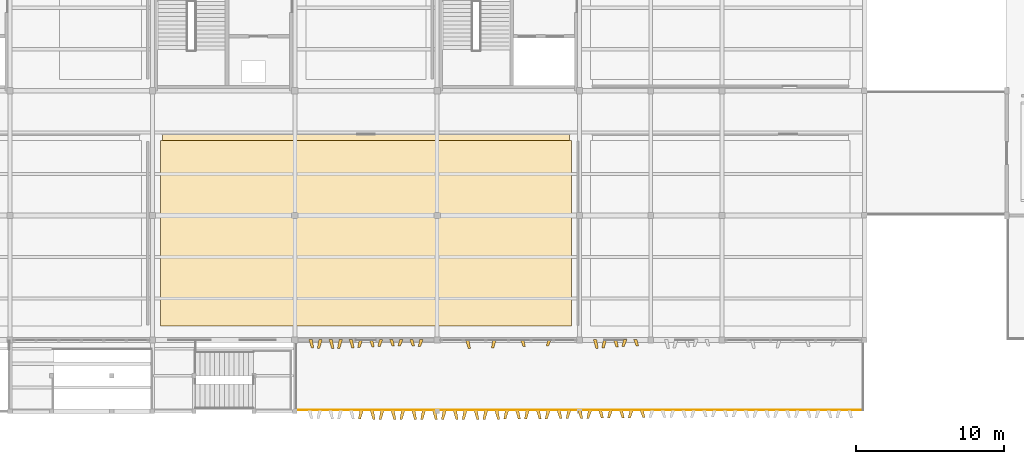
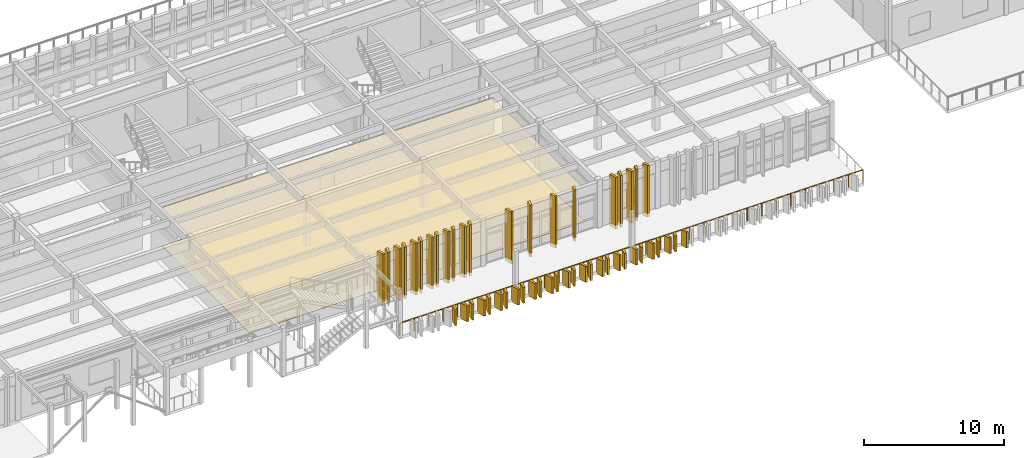
# One storey, part 55 of 61: 51 coverings, 1 railing.
"""IFC4 building model written with IfcOpenShell, lengths in metres."""

from ifc_helpers import new_model, si_unit, direction, frame, origin, origin_2d, place, context, subcontext, project, spatial, polyline, circle, outline, extrude, material, layer, layer_set, type_object, element, save


model = new_model("IFC4")

# Units and contexts
model_context = context("Model", 3, precision=1e-05, world=origin(), true_north=direction((0.0, 1.0)))
body_context = subcontext(model_context, "Body", "Model", "MODEL_VIEW")
ifc_project = project(units=[si_unit("LENGTHUNIT", "METRE"), si_unit("AREAUNIT", "SQUARE_METRE"), si_unit("VOLUMEUNIT", "CUBIC_METRE"), si_unit("PLANEANGLEUNIT", "RADIAN"), si_unit("MASSUNIT", "GRAM", prefix="KILO")], contexts=[model_context])

# Site, building, storey
site_placement = place(None, origin())
site = spatial("IfcSite", under=ifc_project, at=site_placement, CompositionType="ELEMENT")
building_placement = place(site_placement, origin())
building = spatial("IfcBuilding", under=site, at=building_placement, Name="Kolvemor Railside Polytechnic", CompositionType="ELEMENT")
storey_placement = place(building_placement, frame((0.0, 0.0, 10.199951171875)))
storey = spatial("IfcBuildingStorey", under=building, at=storey_placement, Name="L02", CompositionType="ELEMENT", Elevation=10.199951171875)

# Coverings
ifc_material_1 = material(Name="Perforated acoustic mineral-fibre and timber-slat ceiling", Category="wood")
ifc_layer_1 = layer(ifc_material_1, 0.030029296875, Name="COV-CEIL-2")
ifc_layer_set_1 = layer_set([ifc_layer_1], Name="Perforated acoustic mineral-fibre and timber-slat ceiling")
covering_type_1 = type_object("IfcCoveringType", Name="COV-CEIL-2", PredefinedType="CEILING", material=ifc_layer_set_1)
covering_1_placement = place(storey_placement, frame((0.0, 0.0, 3.0)))
element("IfcCovering", 1, at=covering_1_placement, inside=storey, type_object=covering_type_1, Name="Tropical Architecture Design Studio Acoustic Ceiling", PredefinedType="CEILING", context=body_context, shape_type="SweptSolid", body=[
    extrude(outline(polyline([(87.080078125, 5.75), (114.52001953125, 5.75), (114.52001953125, 18.679931640625), (87.080078125, 18.679931640625), (87.080078125, 5.75)])), origin(), (0.0, 0.0, 1.0), 0.030029296875),
])
ifc_material_2 = material(Name="Champagne-bronze PVDF-anodised marine aluminium 5052-H32", Category="aluminium")
ifc_layer_2 = layer(ifc_material_2, 0.179931640625, Name="COV-FIN-CHAMP")
ifc_layer_set_2 = layer_set([ifc_layer_2], Name="Champagne-bronze PVDF-anodised marine aluminium 5052-H32")
covering_type_2 = type_object("IfcCoveringType", Name="COV-FIN-CHAMP", PredefinedType="CLADDING", material=ifc_layer_set_2)
covering_2_placement = place(storey_placement, frame((0.0, 0.0, -0.320068359375)))
element("IfcCovering", 2, at=covering_2_placement, inside=storey, type_object=covering_type_2, Name="Pleated Solar Fin L02-0342", PredefinedType="CLADDING", context=body_context, shape_type="SweptSolid", body=[
    extrude(outline(polyline([(96.945068359375, 4.8349609375), (97.175048828125, 4.8349609375), (97.280029296875, 4.263916015625), (97.1201171875, 4.263916015625), (96.945068359375, 4.8349609375)])), origin(), (0.0, 0.0, 1.0), 4.52001953125),
])
covering_3_placement = place(storey_placement, frame((0.0, 0.0, -0.320068359375)))
element("IfcCovering", 3, at=covering_3_placement, inside=storey, type_object=covering_type_2, Name="Pleated Solar Fin L02-0343", PredefinedType="CLADDING", context=body_context, shape_type="SweptSolid", body=[
    extrude(outline(polyline([(97.625, 4.8349609375), (97.85498046875, 4.8349609375), (97.679931640625, 4.241943359375), (97.52001953125, 4.241943359375), (97.625, 4.8349609375)])), origin(), (0.0, 0.0, 1.0), 4.52001953125),
])
covering_4_placement = place(storey_placement, frame((0.0, 0.0, -0.320068359375)))
element("IfcCovering", 4, at=covering_4_placement, inside=storey, type_object=covering_type_2, Name="Pleated Solar Fin L02-0344", PredefinedType="CLADDING", context=body_context, shape_type="SweptSolid", body=[
    extrude(outline(polyline([(98.304931640625, 4.8349609375), (98.534912109375, 4.8349609375), (98.639892578125, 4.235107421875), (98.47998046875, 4.235107421875), (98.304931640625, 4.8349609375)])), origin(), (0.0, 0.0, 1.0), 4.52001953125),
])
covering_5_placement = place(storey_placement, frame((0.0, 0.0, -0.320068359375)))
element("IfcCovering", 5, at=covering_5_placement, inside=storey, type_object=covering_type_2, Name="Pleated Solar Fin L02-0345", PredefinedType="CLADDING", context=body_context, shape_type="SweptSolid", body=[
    extrude(outline(polyline([(98.985107421875, 4.8349609375), (99.215087890625, 4.8349609375), (99.0400390625, 4.242919921875), (98.8798828125, 4.242919921875), (98.985107421875, 4.8349609375)])), origin(), (0.0, 0.0, 1.0), 4.52001953125),
])
covering_6_placement = place(storey_placement, frame((0.0, 0.0, -0.320068359375)))
element("IfcCovering", 6, at=covering_6_placement, inside=storey, type_object=covering_type_2, Name="Pleated Solar Fin L02-0346", PredefinedType="CLADDING", context=body_context, shape_type="SweptSolid", body=[
    extrude(outline(polyline([(99.6650390625, 4.8349609375), (99.89501953125, 4.8349609375), (100.0, 4.264892578125), (99.840087890625, 4.264892578125), (99.6650390625, 4.8349609375)])), origin(), (0.0, 0.0, 1.0), 4.52001953125),
])
covering_7_placement = place(storey_placement, frame((0.0, 0.0, -0.320068359375)))
element("IfcCovering", 7, at=covering_7_placement, inside=storey, type_object=covering_type_2, Name="Pleated Solar Fin L02-0347", PredefinedType="CLADDING", context=body_context, shape_type="SweptSolid", body=[
    extrude(outline(polyline([(100.344970703125, 4.8349609375), (100.574951171875, 4.8349609375), (100.39990234375, 4.297119140625), (100.239990234375, 4.297119140625), (100.344970703125, 4.8349609375)])), origin(), (0.0, 0.0, 1.0), 4.52001953125),
])
covering_8_placement = place(storey_placement, frame((0.0, 0.0, -0.320068359375)))
element("IfcCovering", 8, at=covering_8_placement, inside=storey, type_object=covering_type_2, Name="Pleated Solar Fin L02-0348", PredefinedType="CLADDING", context=body_context, shape_type="SweptSolid", body=[
    extrude(outline(polyline([(101.02490234375, 4.8349609375), (101.2548828125, 4.8349609375), (101.360107421875, 4.3330078125), (101.199951171875, 4.3330078125), (101.02490234375, 4.8349609375)])), origin(), (0.0, 0.0, 1.0), 4.52001953125),
])
covering_9_placement = place(storey_placement, frame((0.0, 0.0, -0.320068359375)))
element("IfcCovering", 9, at=covering_9_placement, inside=storey, type_object=covering_type_2, Name="Pleated Solar Fin L02-0349", PredefinedType="CLADDING", context=body_context, shape_type="SweptSolid", body=[
    extrude(outline(polyline([(101.705078125, 4.8349609375), (101.93505859375, 4.8349609375), (101.760009765625, 4.364990234375), (101.60009765625, 4.364990234375), (101.705078125, 4.8349609375)])), origin(), (0.0, 0.0, 1.0), 4.52001953125),
])
covering_10_placement = place(storey_placement, frame((0.0, 0.0, -0.320068359375)))
element("IfcCovering", 10, at=covering_10_placement, inside=storey, type_object=covering_type_2, Name="Pleated Solar Fin L02-0350", PredefinedType="CLADDING", context=body_context, shape_type="SweptSolid", body=[
    extrude(outline(polyline([(102.385009765625, 4.8349609375), (102.614990234375, 4.8349609375), (102.719970703125, 4.386962890625), (102.56005859375, 4.386962890625), (102.385009765625, 4.8349609375)])), origin(), (0.0, 0.0, 1.0), 4.52001953125),
])
covering_11_placement = place(storey_placement, frame((0.0, 0.0, -0.320068359375)))
element("IfcCovering", 11, at=covering_11_placement, inside=storey, type_object=covering_type_2, Name="Pleated Solar Fin L02-0351", PredefinedType="CLADDING", context=body_context, shape_type="SweptSolid", body=[
    extrude(outline(polyline([(103.06494140625, 4.8349609375), (103.294921875, 4.8349609375), (103.1201171875, 4.39501953125), (102.9599609375, 4.39501953125), (103.06494140625, 4.8349609375)])), origin(), (0.0, 0.0, 1.0), 4.52001953125),
])
covering_12_placement = place(storey_placement, frame((0.0, 0.0, -0.320068359375)))
element("IfcCovering", 12, at=covering_12_placement, inside=storey, type_object=covering_type_2, Name="Pleated Solar Fin L02-0352", PredefinedType="CLADDING", context=body_context, shape_type="SweptSolid", body=[
    extrude(outline(polyline([(103.7451171875, 4.8349609375), (103.97509765625, 4.8349609375), (104.080078125, 4.387939453125), (103.919921875, 4.387939453125), (103.7451171875, 4.8349609375)])), origin(), (0.0, 0.0, 1.0), 4.52001953125),
])
covering_13_placement = place(storey_placement, frame((0.0, 0.0, -0.320068359375)))
element("IfcCovering", 13, at=covering_13_placement, inside=storey, type_object=covering_type_2, Name="Pleated Solar Fin L02-0353", PredefinedType="CLADDING", context=body_context, shape_type="SweptSolid", body=[
    extrude(outline(polyline([(104.425048828125, 4.8349609375), (104.655029296875, 4.8349609375), (104.47998046875, 4.365966796875), (104.320068359375, 4.365966796875), (104.425048828125, 4.8349609375)])), origin(), (0.0, 0.0, 1.0), 4.52001953125),
])
covering_14_placement = place(storey_placement, frame((0.0, 0.0, -0.320068359375)))
element("IfcCovering", 14, at=covering_14_placement, inside=storey, type_object=covering_type_2, Name="Pleated Solar Fin L02-0358", PredefinedType="CLADDING", context=body_context, shape_type="SweptSolid", body=[
    extrude(outline(polyline([(116.125, 4.8349609375), (116.35498046875, 4.8349609375), (116.4599609375, 4.237060546875), (116.300048828125, 4.237060546875), (116.125, 4.8349609375)])), origin(), (0.0, 0.0, 1.0), 4.52001953125),
])
covering_15_placement = place(storey_placement, frame((0.0, 0.0, -0.320068359375)))
element("IfcCovering", 15, at=covering_15_placement, inside=storey, type_object=covering_type_2, Name="Pleated Solar Fin L02-0359", PredefinedType="CLADDING", context=body_context, shape_type="SweptSolid", body=[
    extrude(outline(polyline([(116.804931640625, 4.8349609375), (117.034912109375, 4.8349609375), (116.860107421875, 4.2529296875), (116.699951171875, 4.2529296875), (116.804931640625, 4.8349609375)])), origin(), (0.0, 0.0, 1.0), 4.52001953125),
])
covering_16_placement = place(storey_placement, frame((0.0, 0.0, -0.320068359375)))
element("IfcCovering", 16, at=covering_16_placement, inside=storey, type_object=covering_type_2, Name="Pleated Solar Fin L02-0360", PredefinedType="CLADDING", context=body_context, shape_type="SweptSolid", body=[
    extrude(outline(polyline([(117.485107421875, 4.8349609375), (117.715087890625, 4.8349609375), (117.820068359375, 4.31494140625), (117.659912109375, 4.31494140625), (117.485107421875, 4.8349609375)])), origin(), (0.0, 0.0, 1.0), 4.52001953125),
])
covering_17_placement = place(storey_placement, frame((0.0, 0.0, -0.320068359375)))
element("IfcCovering", 17, at=covering_17_placement, inside=storey, type_object=covering_type_2, Name="Pleated Solar Fin L02-0361", PredefinedType="CLADDING", context=body_context, shape_type="SweptSolid", body=[
    extrude(outline(polyline([(118.1650390625, 4.8349609375), (118.39501953125, 4.8349609375), (118.219970703125, 4.376953125), (118.06005859375, 4.376953125), (118.1650390625, 4.8349609375)])), origin(), (0.0, 0.0, 1.0), 4.52001953125),
])
covering_18_placement = place(storey_placement, frame((0.0, 0.0, -0.320068359375)))
element("IfcCovering", 18, at=covering_18_placement, inside=storey, type_object=covering_type_2, Name="Pleated Solar Fin L02-0362", PredefinedType="CLADDING", context=body_context, shape_type="SweptSolid", body=[
    extrude(outline(polyline([(118.844970703125, 4.8349609375), (119.074951171875, 4.8349609375), (119.179931640625, 4.39306640625), (119.02001953125, 4.39306640625), (118.844970703125, 4.8349609375)])), origin(), (0.0, 0.0, 1.0), 4.52001953125),
])
covering_19_placement = place(storey_placement, frame((0.0, 0.0, -0.239990234375)))
element("IfcCovering", 19, at=covering_19_placement, inside=storey, type_object=covering_type_2, Name="Pleated Solar Fin L02-0762", PredefinedType="CLADDING", context=body_context, shape_type="SweptSolid", body=[
    extrude(outline(polyline([(100.385009765625, 0.034912109375), (100.614990234375, 0.034912109375), (100.43994140625, -0.5390625), (100.280029296875, -0.5390625), (100.385009765625, 0.034912109375)])), origin(), (0.0, 0.0, 1.0), 1.39013671875),
])
covering_20_placement = place(storey_placement, frame((0.0, 0.0, -0.239990234375)))
element("IfcCovering", 20, at=covering_20_placement, inside=storey, type_object=covering_type_2, Name="Pleated Solar Fin L02-0763", PredefinedType="CLADDING", context=body_context, shape_type="SweptSolid", body=[
    extrude(outline(polyline([(101.0849609375, 0.034912109375), (101.31494140625, 0.034912109375), (101.419921875, -0.544921875), (101.260009765625, -0.544921875), (101.0849609375, 0.034912109375)])), origin(), (0.0, 0.0, 1.0), 1.39013671875),
])
covering_21_placement = place(storey_placement, frame((0.0, 0.0, -0.239990234375)))
element("IfcCovering", 21, at=covering_21_placement, inside=storey, type_object=covering_type_2, Name="Pleated Solar Fin L02-0764", PredefinedType="CLADDING", context=body_context, shape_type="SweptSolid", body=[
    extrude(outline(polyline([(101.784912109375, 0.034912109375), (102.014892578125, 0.034912109375), (101.840087890625, -0.551025390625), (101.679931640625, -0.551025390625), (101.784912109375, 0.034912109375)])), origin(), (0.0, 0.0, 1.0), 1.39013671875),
])
covering_22_placement = place(storey_placement, frame((0.0, 0.0, -0.239990234375)))
element("IfcCovering", 22, at=covering_22_placement, inside=storey, type_object=covering_type_2, Name="Pleated Solar Fin L02-0765", PredefinedType="CLADDING", context=body_context, shape_type="SweptSolid", body=[
    extrude(outline(polyline([(102.485107421875, 0.034912109375), (102.715087890625, 0.034912109375), (102.820068359375, -0.555908203125), (102.659912109375, -0.555908203125), (102.485107421875, 0.034912109375)])), origin(), (0.0, 0.0, 1.0), 1.39013671875),
])
covering_23_placement = place(storey_placement, frame((0.0, 0.0, -0.239990234375)))
element("IfcCovering", 23, at=covering_23_placement, inside=storey, type_object=covering_type_2, Name="Pleated Solar Fin L02-0766", PredefinedType="CLADDING", context=body_context, shape_type="SweptSolid", body=[
    extrude(outline(polyline([(103.18505859375, 0.034912109375), (103.4150390625, 0.034912109375), (103.239990234375, -0.55908203125), (103.080078125, -0.55908203125), (103.18505859375, 0.034912109375)])), origin(), (0.0, 0.0, 1.0), 1.39013671875),
])
covering_24_placement = place(storey_placement, frame((0.0, 0.0, -0.239990234375)))
element("IfcCovering", 24, at=covering_24_placement, inside=storey, type_object=covering_type_2, Name="Pleated Solar Fin L02-0767", PredefinedType="CLADDING", context=body_context, shape_type="SweptSolid", body=[
    extrude(outline(polyline([(103.885009765625, 0.034912109375), (104.114990234375, 0.034912109375), (104.219970703125, -0.56201171875), (104.06005859375, -0.56201171875), (103.885009765625, 0.034912109375)])), origin(), (0.0, 0.0, 1.0), 1.39013671875),
])
covering_25_placement = place(storey_placement, frame((0.0, 0.0, -0.239990234375)))
element("IfcCovering", 25, at=covering_25_placement, inside=storey, type_object=covering_type_2, Name="Pleated Solar Fin L02-0768", PredefinedType="CLADDING", context=body_context, shape_type="SweptSolid", body=[
    extrude(outline(polyline([(104.5849609375, 0.034912109375), (104.81494140625, 0.034912109375), (104.639892578125, -0.56396484375), (104.47998046875, -0.56396484375), (104.5849609375, 0.034912109375)])), origin(), (0.0, 0.0, 1.0), 1.39013671875),
])
covering_26_placement = place(storey_placement, frame((0.0, 0.0, -0.239990234375)))
element("IfcCovering", 26, at=covering_26_placement, inside=storey, type_object=covering_type_2, Name="Pleated Solar Fin L02-0769", PredefinedType="CLADDING", context=body_context, shape_type="SweptSolid", body=[
    extrude(outline(polyline([(105.284912109375, 0.034912109375), (105.514892578125, 0.034912109375), (105.6201171875, -0.56494140625), (105.4599609375, -0.56494140625), (105.284912109375, 0.034912109375)])), origin(), (0.0, 0.0, 1.0), 1.39013671875),
])
covering_27_placement = place(storey_placement, frame((0.0, 0.0, -0.239990234375)))
element("IfcCovering", 27, at=covering_27_placement, inside=storey, type_object=covering_type_2, Name="Pleated Solar Fin L02-0770", PredefinedType="CLADDING", context=body_context, shape_type="SweptSolid", body=[
    extrude(outline(polyline([(105.985107421875, 0.034912109375), (106.215087890625, 0.034912109375), (106.0400390625, -0.56494140625), (105.8798828125, -0.56494140625), (105.985107421875, 0.034912109375)])), origin(), (0.0, 0.0, 1.0), 1.39013671875),
])
covering_28_placement = place(storey_placement, frame((0.0, 0.0, -0.239990234375)))
element("IfcCovering", 28, at=covering_28_placement, inside=storey, type_object=covering_type_2, Name="Pleated Solar Fin L02-0771", PredefinedType="CLADDING", context=body_context, shape_type="SweptSolid", body=[
    extrude(outline(polyline([(106.68505859375, 0.034912109375), (106.9150390625, 0.034912109375), (107.02001953125, -0.56298828125), (106.860107421875, -0.56298828125), (106.68505859375, 0.034912109375)])), origin(), (0.0, 0.0, 1.0), 1.39013671875),
])
covering_29_placement = place(storey_placement, frame((0.0, 0.0, -0.239990234375)))
element("IfcCovering", 29, at=covering_29_placement, inside=storey, type_object=covering_type_2, Name="Pleated Solar Fin L02-0772", PredefinedType="CLADDING", context=body_context, shape_type="SweptSolid", body=[
    extrude(outline(polyline([(107.385009765625, 0.034912109375), (107.614990234375, 0.034912109375), (107.43994140625, -0.56103515625), (107.280029296875, -0.56103515625), (107.385009765625, 0.034912109375)])), origin(), (0.0, 0.0, 1.0), 1.39013671875),
])
covering_30_placement = place(storey_placement, frame((0.0, 0.0, -0.239990234375)))
element("IfcCovering", 30, at=covering_30_placement, inside=storey, type_object=covering_type_2, Name="Pleated Solar Fin L02-0773", PredefinedType="CLADDING", context=body_context, shape_type="SweptSolid", body=[
    extrude(outline(polyline([(108.0849609375, 0.034912109375), (108.31494140625, 0.034912109375), (108.419921875, -0.55810546875), (108.260009765625, -0.55810546875), (108.0849609375, 0.034912109375)])), origin(), (0.0, 0.0, 1.0), 1.39013671875),
])
covering_31_placement = place(storey_placement, frame((0.0, 0.0, -0.239990234375)))
element("IfcCovering", 31, at=covering_31_placement, inside=storey, type_object=covering_type_2, Name="Pleated Solar Fin L02-0774", PredefinedType="CLADDING", context=body_context, shape_type="SweptSolid", body=[
    extrude(outline(polyline([(108.784912109375, 0.034912109375), (109.014892578125, 0.034912109375), (108.840087890625, -0.553955078125), (108.679931640625, -0.553955078125), (108.784912109375, 0.034912109375)])), origin(), (0.0, 0.0, 1.0), 1.39013671875),
])
covering_32_placement = place(storey_placement, frame((0.0, 0.0, -0.239990234375)))
element("IfcCovering", 32, at=covering_32_placement, inside=storey, type_object=covering_type_2, Name="Pleated Solar Fin L02-0775", PredefinedType="CLADDING", context=body_context, shape_type="SweptSolid", body=[
    extrude(outline(polyline([(109.485107421875, 0.034912109375), (109.715087890625, 0.034912109375), (109.820068359375, -0.548095703125), (109.659912109375, -0.548095703125), (109.485107421875, 0.034912109375)])), origin(), (0.0, 0.0, 1.0), 1.39013671875),
])
covering_33_placement = place(storey_placement, frame((0.0, 0.0, -0.239990234375)))
element("IfcCovering", 33, at=covering_33_placement, inside=storey, type_object=covering_type_2, Name="Pleated Solar Fin L02-0776", PredefinedType="CLADDING", context=body_context, shape_type="SweptSolid", body=[
    extrude(outline(polyline([(110.18505859375, 0.034912109375), (110.4150390625, 0.034912109375), (110.239990234375, -0.5419921875), (110.080078125, -0.5419921875), (110.18505859375, 0.034912109375)])), origin(), (0.0, 0.0, 1.0), 1.39013671875),
])
covering_34_placement = place(storey_placement, frame((0.0, 0.0, -0.239990234375)))
element("IfcCovering", 34, at=covering_34_placement, inside=storey, type_object=covering_type_2, Name="Pleated Solar Fin L02-0777", PredefinedType="CLADDING", context=body_context, shape_type="SweptSolid", body=[
    extrude(outline(polyline([(110.885009765625, 0.034912109375), (111.114990234375, 0.034912109375), (111.219970703125, -0.535888671875), (111.06005859375, -0.535888671875), (110.885009765625, 0.034912109375)])), origin(), (0.0, 0.0, 1.0), 1.39013671875),
])
covering_35_placement = place(storey_placement, frame((0.0, 0.0, -0.239990234375)))
element("IfcCovering", 35, at=covering_35_placement, inside=storey, type_object=covering_type_2, Name="Pleated Solar Fin L02-0778", PredefinedType="CLADDING", context=body_context, shape_type="SweptSolid", body=[
    extrude(outline(polyline([(111.5849609375, 0.034912109375), (111.81494140625, 0.034912109375), (111.639892578125, -0.528076171875), (111.47998046875, -0.528076171875), (111.5849609375, 0.034912109375)])), origin(), (0.0, 0.0, 1.0), 1.39013671875),
])
covering_36_placement = place(storey_placement, frame((0.0, 0.0, -0.239990234375)))
element("IfcCovering", 36, at=covering_36_placement, inside=storey, type_object=covering_type_2, Name="Pleated Solar Fin L02-0779", PredefinedType="CLADDING", context=body_context, shape_type="SweptSolid", body=[
    extrude(outline(polyline([(112.284912109375, 0.034912109375), (112.514892578125, 0.034912109375), (112.6201171875, -0.52001953125), (112.4599609375, -0.52001953125), (112.284912109375, 0.034912109375)])), origin(), (0.0, 0.0, 1.0), 1.39013671875),
])
covering_37_placement = place(storey_placement, frame((0.0, 0.0, -0.239990234375)))
element("IfcCovering", 37, at=covering_37_placement, inside=storey, type_object=covering_type_2, Name="Pleated Solar Fin L02-0780", PredefinedType="CLADDING", context=body_context, shape_type="SweptSolid", body=[
    extrude(outline(polyline([(112.985107421875, 0.034912109375), (113.215087890625, 0.034912109375), (113.0400390625, -0.511962890625), (112.8798828125, -0.511962890625), (112.985107421875, 0.034912109375)])), origin(), (0.0, 0.0, 1.0), 1.39013671875),
])
covering_38_placement = place(storey_placement, frame((0.0, 0.0, -0.239990234375)))
element("IfcCovering", 38, at=covering_38_placement, inside=storey, type_object=covering_type_2, Name="Pleated Solar Fin L02-0781", PredefinedType="CLADDING", context=body_context, shape_type="SweptSolid", body=[
    extrude(outline(polyline([(113.68505859375, 0.034912109375), (113.9150390625, 0.034912109375), (114.02001953125, -0.5029296875), (113.860107421875, -0.5029296875), (113.68505859375, 0.034912109375)])), origin(), (0.0, 0.0, 1.0), 1.39013671875),
])
covering_39_placement = place(storey_placement, frame((0.0, 0.0, -0.239990234375)))
element("IfcCovering", 39, at=covering_39_placement, inside=storey, type_object=covering_type_2, Name="Pleated Solar Fin L02-0782", PredefinedType="CLADDING", context=body_context, shape_type="SweptSolid", body=[
    extrude(outline(polyline([(114.385009765625, 0.034912109375), (114.614990234375, 0.034912109375), (114.43994140625, -0.493896484375), (114.280029296875, -0.493896484375), (114.385009765625, 0.034912109375)])), origin(), (0.0, 0.0, 1.0), 1.39013671875),
])
covering_40_placement = place(storey_placement, frame((0.0, 0.0, -0.239990234375)))
element("IfcCovering", 40, at=covering_40_placement, inside=storey, type_object=covering_type_2, Name="Pleated Solar Fin L02-0783", PredefinedType="CLADDING", context=body_context, shape_type="SweptSolid", body=[
    extrude(outline(polyline([(115.0849609375, 0.034912109375), (115.31494140625, 0.034912109375), (115.419921875, -0.485107421875), (115.260009765625, -0.485107421875), (115.0849609375, 0.034912109375)])), origin(), (0.0, 0.0, 1.0), 1.39013671875),
])
covering_41_placement = place(storey_placement, frame((0.0, 0.0, -0.239990234375)))
element("IfcCovering", 41, at=covering_41_placement, inside=storey, type_object=covering_type_2, Name="Pleated Solar Fin L02-0784", PredefinedType="CLADDING", context=body_context, shape_type="SweptSolid", body=[
    extrude(outline(polyline([(115.784912109375, 0.034912109375), (116.014892578125, 0.034912109375), (115.840087890625, -0.47607421875), (115.679931640625, -0.47607421875), (115.784912109375, 0.034912109375)])), origin(), (0.0, 0.0, 1.0), 1.39013671875),
])
covering_42_placement = place(storey_placement, frame((0.0, 0.0, -0.239990234375)))
element("IfcCovering", 42, at=covering_42_placement, inside=storey, type_object=covering_type_2, Name="Pleated Solar Fin L02-0785", PredefinedType="CLADDING", context=body_context, shape_type="SweptSolid", body=[
    extrude(outline(polyline([(116.485107421875, 0.034912109375), (116.715087890625, 0.034912109375), (116.820068359375, -0.467041015625), (116.659912109375, -0.467041015625), (116.485107421875, 0.034912109375)])), origin(), (0.0, 0.0, 1.0), 1.39013671875),
])
covering_43_placement = place(storey_placement, frame((0.0, 0.0, -0.239990234375)))
element("IfcCovering", 43, at=covering_43_placement, inside=storey, type_object=covering_type_2, Name="Pleated Solar Fin L02-0786", PredefinedType="CLADDING", context=body_context, shape_type="SweptSolid", body=[
    extrude(outline(polyline([(117.18505859375, 0.034912109375), (117.4150390625, 0.034912109375), (117.239990234375, -0.4580078125), (117.080078125, -0.4580078125), (117.18505859375, 0.034912109375)])), origin(), (0.0, 0.0, 1.0), 1.39013671875),
])
covering_44_placement = place(storey_placement, frame((0.0, 0.0, -0.239990234375)))
element("IfcCovering", 44, at=covering_44_placement, inside=storey, type_object=covering_type_2, Name="Pleated Solar Fin L02-0787", PredefinedType="CLADDING", context=body_context, shape_type="SweptSolid", body=[
    extrude(outline(polyline([(117.885009765625, 0.034912109375), (118.114990234375, 0.034912109375), (118.219970703125, -0.449951171875), (118.06005859375, -0.449951171875), (117.885009765625, 0.034912109375)])), origin(), (0.0, 0.0, 1.0), 1.39013671875),
])
covering_45_placement = place(storey_placement, frame((0.0, 0.0, -0.239990234375)))
element("IfcCovering", 45, at=covering_45_placement, inside=storey, type_object=covering_type_2, Name="Pleated Solar Fin L02-0788", PredefinedType="CLADDING", context=body_context, shape_type="SweptSolid", body=[
    extrude(outline(polyline([(118.5849609375, 0.034912109375), (118.81494140625, 0.034912109375), (118.639892578125, -0.44189453125), (118.47998046875, -0.44189453125), (118.5849609375, 0.034912109375)])), origin(), (0.0, 0.0, 1.0), 1.39013671875),
])
covering_46_placement = place(storey_placement, frame((0.0, 0.0, -0.239990234375)))
element("IfcCovering", 46, at=covering_46_placement, inside=storey, type_object=covering_type_2, Name="Pleated Solar Fin L02-0789", PredefinedType="CLADDING", context=body_context, shape_type="SweptSolid", body=[
    extrude(outline(polyline([(119.284912109375, 0.034912109375), (119.514892578125, 0.034912109375), (119.6201171875, -0.43408203125), (119.4599609375, -0.43408203125), (119.284912109375, 0.034912109375)])), origin(), (0.0, 0.0, 1.0), 1.39013671875),
])
ifc_material_3 = material(Name="Sea-mist PVDF-anodised marine aluminium 5052-H32", Category="aluminium")
ifc_layer_3 = layer(ifc_material_3, 0.159912109375, Name="COV-FIN-MIST")
ifc_layer_set_3 = layer_set([ifc_layer_3], Name="Sea-mist PVDF-anodised marine aluminium 5052-H32")
covering_type_3 = type_object("IfcCoveringType", Name="COV-FIN-MIST", PredefinedType="CLADDING", material=ifc_layer_set_3)
covering_47_placement = place(storey_placement, frame((0.0, 0.0, -0.320068359375)))
element("IfcCovering", 47, at=covering_47_placement, inside=storey, type_object=covering_type_3, Name="Pleated Solar Fin L02-0354", PredefinedType="CLADDING", context=body_context, shape_type="SweptSolid", body=[
    extrude(outline(polyline([(107.510009765625, 4.8349609375), (107.739990234375, 4.8349609375), (107.844970703125, 4.237060546875), (107.68505859375, 4.237060546875), (107.510009765625, 4.8349609375)])), origin(), (0.0, 0.0, 1.0), 4.52001953125),
])
covering_48_placement = place(storey_placement, frame((0.0, 0.0, -0.320068359375)))
element("IfcCovering", 48, at=covering_48_placement, inside=storey, type_object=covering_type_3, Name="Pleated Solar Fin L02-0355", PredefinedType="CLADDING", context=body_context, shape_type="SweptSolid", body=[
    extrude(outline(polyline([(109.360107421875, 4.8349609375), (109.590087890625, 4.8349609375), (109.4150390625, 4.26904296875), (109.2548828125, 4.26904296875), (109.360107421875, 4.8349609375)])), origin(), (0.0, 0.0, 1.0), 4.52001953125),
])
covering_49_placement = place(storey_placement, frame((0.0, 0.0, -0.320068359375)))
element("IfcCovering", 49, at=covering_49_placement, inside=storey, type_object=covering_type_3, Name="Pleated Solar Fin L02-0356", PredefinedType="CLADDING", context=body_context, shape_type="SweptSolid", body=[
    extrude(outline(polyline([(111.2099609375, 4.8349609375), (111.43994140625, 4.8349609375), (111.544921875, 4.361083984375), (111.385009765625, 4.361083984375), (111.2099609375, 4.8349609375)])), origin(), (0.0, 0.0, 1.0), 4.52001953125),
])
covering_50_placement = place(storey_placement, frame((0.0, 0.0, -0.320068359375)))
element("IfcCovering", 50, at=covering_50_placement, inside=storey, type_object=covering_type_3, Name="Pleated Solar Fin L02-0357", PredefinedType="CLADDING", context=body_context, shape_type="SweptSolid", body=[
    extrude(outline(polyline([(113.06005859375, 4.8349609375), (113.2900390625, 4.8349609375), (113.114990234375, 4.39306640625), (112.955078125, 4.39306640625), (113.06005859375, 4.8349609375)])), origin(), (0.0, 0.0, 1.0), 4.52001953125),
])
ifc_material_4 = material(Name="Polished coral-aggregate terrazzo and laboratory epoxy flooring")
ifc_layer_4 = layer(ifc_material_4, 0.02490234375, Name="COV-FLR-2")
ifc_layer_set_4 = layer_set([ifc_layer_4], Name="Polished coral-aggregate terrazzo and laboratory epoxy flooring")
covering_type_4 = type_object("IfcCoveringType", Name="COV-FLR-2", PredefinedType="FLOORING", material=ifc_layer_set_4)
covering_51_placement = place(storey_placement, origin())
element("IfcCovering", 51, at=covering_51_placement, inside=storey, type_object=covering_type_4, Name="Tropical Architecture Design Studio Floor Finish", PredefinedType="FLOORING", context=body_context, shape_type="SweptSolid", body=[
    extrude(outline(polyline([(86.949951171875, 5.75), (114.64990234375, 5.75), (114.64990234375, 18.25), (86.949951171875, 18.25), (86.949951171875, 5.75)])), origin(), (0.0, 0.0, 1.0), 0.025146484375),
])

# Railing
ifc_material_5 = material(Name="AISI 316 marine stainless-steel balustrade guard", Category="steel")
railing_type = type_object("IfcRailingType", Name="RLG-GUARD-1120", PredefinedType="BALUSTRADE", material=ifc_material_5)
railing_placement = place(storey_placement, frame((96.080078125, 0.080078125, 0.0)))
element("IfcRailing", 52, at=railing_placement, inside=storey, type_object=railing_type, Name="Shifted East Loggia Terrace L02 S Guard GR-008", PredefinedType="BALUSTRADE", context=body_context, shape_type="SweptSolid", body=[
    extrude(circle(Radius=0.02392578125, at=origin_2d()), frame((0.054931640625, 0.0, 1.09619140625), z_axis=(1.0, 0.0, 0.0), x_axis=(0.0, 1.0, 0.0)), (0.0, 0.0, 1.0), 38.1298828125),
    extrude(circle(Radius=0.02099609375, at=origin_2d()), origin(), (0.0, 0.0, 1.0), 1.05712890625),
    extrude(circle(Radius=0.02099609375, at=origin_2d()), frame((1.195068359375, 0.0, 0.0)), (0.0, 0.0, 1.0), 1.05712890625),
    extrude(circle(Radius=0.02099609375, at=origin_2d()), frame((2.389892578125, 0.0, 0.0)), (0.0, 0.0, 1.0), 1.05712890625),
    extrude(circle(Radius=0.02099609375, at=origin_2d()), frame((3.5849609375, 0.0, 0.0)), (0.0, 0.0, 1.0), 1.05712890625),
    extrude(circle(Radius=0.02099609375, at=origin_2d()), frame((4.780029296875, 0.0, 0.0)), (0.0, 0.0, 1.0), 1.05712890625),
    extrude(circle(Radius=0.02099609375, at=origin_2d()), frame((5.97509765625, 0.0, 0.0)), (0.0, 0.0, 1.0), 1.05712890625),
    extrude(circle(Radius=0.02099609375, at=origin_2d()), frame((7.169921875, 0.0, 0.0)), (0.0, 0.0, 1.0), 1.05712890625),
    extrude(circle(Radius=0.02099609375, at=origin_2d()), frame((8.364990234375, 0.0, 0.0)), (0.0, 0.0, 1.0), 1.05712890625),
    extrude(circle(Radius=0.02099609375, at=origin_2d()), frame((9.56005859375, 0.0, 0.0)), (0.0, 0.0, 1.0), 1.05712890625),
    extrude(circle(Radius=0.02099609375, at=origin_2d()), frame((10.7548828125, 0.0, 0.0)), (0.0, 0.0, 1.0), 1.05712890625),
    extrude(circle(Radius=0.02099609375, at=origin_2d()), frame((11.949951171875, 0.0, 0.0)), (0.0, 0.0, 1.0), 1.05712890625),
    extrude(circle(Radius=0.02099609375, at=origin_2d()), frame((13.14501953125, 0.0, 0.0)), (0.0, 0.0, 1.0), 1.05712890625),
    extrude(circle(Radius=0.02099609375, at=origin_2d()), frame((14.340087890625, 0.0, 0.0)), (0.0, 0.0, 1.0), 1.05712890625),
    extrude(circle(Radius=0.02099609375, at=origin_2d()), frame((15.534912109375, 0.0, 0.0)), (0.0, 0.0, 1.0), 1.05712890625),
    extrude(circle(Radius=0.02099609375, at=origin_2d()), frame((16.72998046875, 0.0, 0.0)), (0.0, 0.0, 1.0), 1.05712890625),
    extrude(circle(Radius=0.02099609375, at=origin_2d()), frame((17.925048828125, 0.0, 0.0)), (0.0, 0.0, 1.0), 1.05712890625),
    extrude(circle(Radius=0.02099609375, at=origin_2d()), frame((19.1201171875, 0.0, 0.0)), (0.0, 0.0, 1.0), 1.05712890625),
    extrude(circle(Radius=0.02099609375, at=origin_2d()), frame((20.31494140625, 0.0, 0.0)), (0.0, 0.0, 1.0), 1.05712890625),
    extrude(circle(Radius=0.02099609375, at=origin_2d()), frame((21.510009765625, 0.0, 0.0)), (0.0, 0.0, 1.0), 1.05712890625),
    extrude(circle(Radius=0.02099609375, at=origin_2d()), frame((22.705078125, 0.0, 0.0)), (0.0, 0.0, 1.0), 1.05712890625),
    extrude(circle(Radius=0.02099609375, at=origin_2d()), frame((23.89990234375, 0.0, 0.0)), (0.0, 0.0, 1.0), 1.05712890625),
    extrude(circle(Radius=0.02099609375, at=origin_2d()), frame((25.094970703125, 0.0, 0.0)), (0.0, 0.0, 1.0), 1.05712890625),
    extrude(circle(Radius=0.02099609375, at=origin_2d()), frame((26.2900390625, 0.0, 0.0)), (0.0, 0.0, 1.0), 1.05712890625),
    extrude(circle(Radius=0.02099609375, at=origin_2d()), frame((27.485107421875, 0.0, 0.0)), (0.0, 0.0, 1.0), 1.05712890625),
    extrude(circle(Radius=0.02099609375, at=origin_2d()), frame((28.679931640625, 0.0, 0.0)), (0.0, 0.0, 1.0), 1.05712890625),
    extrude(circle(Radius=0.02099609375, at=origin_2d()), frame((29.875, 0.0, 0.0)), (0.0, 0.0, 1.0), 1.05712890625),
    extrude(circle(Radius=0.02099609375, at=origin_2d()), frame((31.070068359375, 0.0, 0.0)), (0.0, 0.0, 1.0), 1.05712890625),
    extrude(circle(Radius=0.02099609375, at=origin_2d()), frame((32.264892578125, 0.0, 0.0)), (0.0, 0.0, 1.0), 1.05712890625),
    extrude(circle(Radius=0.02099609375, at=origin_2d()), frame((33.4599609375, 0.0, 0.0)), (0.0, 0.0, 1.0), 1.05712890625),
    extrude(circle(Radius=0.02099609375, at=origin_2d()), frame((34.655029296875, 0.0, 0.0)), (0.0, 0.0, 1.0), 1.05712890625),
    extrude(circle(Radius=0.02099609375, at=origin_2d()), frame((35.85009765625, 0.0, 0.0)), (0.0, 0.0, 1.0), 1.05712890625),
    extrude(circle(Radius=0.02099609375, at=origin_2d()), frame((37.044921875, 0.0, 0.0)), (0.0, 0.0, 1.0), 1.05712890625),
    extrude(circle(Radius=0.02099609375, at=origin_2d()), frame((38.239990234375, 0.0, 0.0)), (0.0, 0.0, 1.0), 1.05712890625),
])

save(model, "model.ifc")
